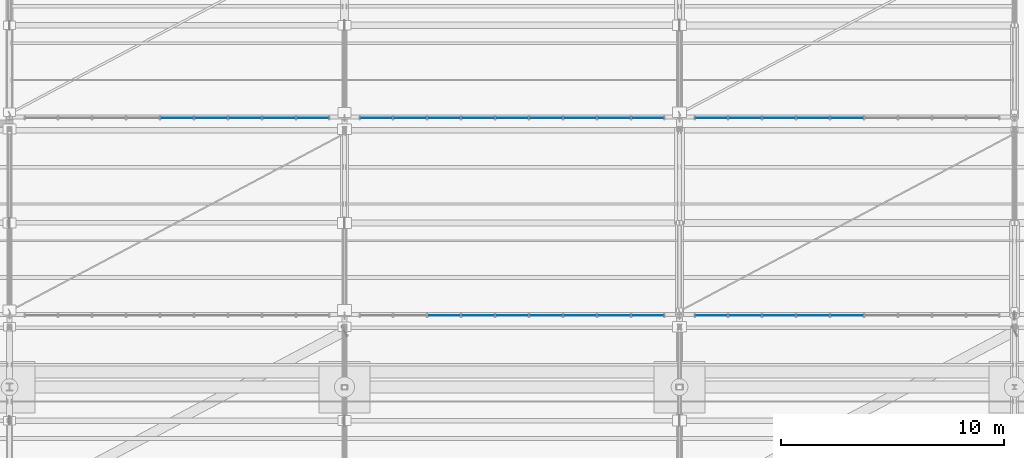
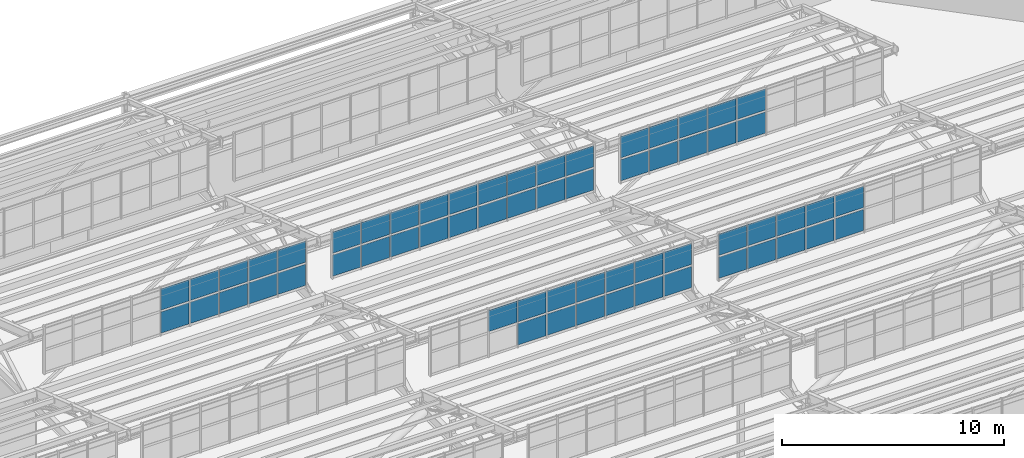
# One storey, part 180 of 285: 61 plates, 5 elements without a shape of their own.
"""IFC4 building model written with IfcOpenShell, lengths in metres."""

import ifcopenshell
import ifcopenshell.guid

model = None  # the IFC model being written
_history = None  # IfcOwnerHistory: only IFC2X3 demands one
_inside = {}  # id of a spatial element -> (the spatial element, [elements in it])
_under = {}  # id of a project, library or spatial element -> (it, [spatial elements below it])
_declared = {}  # id of a project -> (the project, [libraries it declares])
_typed = {}  # id of a type object -> (the type object, [elements of that type])
_made_of = {}  # id of a material, layer set ... -> (it, [elements and type objects made of it])


def new_model(schema):
    """Start an empty IFC model of exactly this schema.

    Asked for "IFC4X3", IfcOpenShell would pick the latest addendum, in which some entities
    have other attributes; the version numbers below select the first issue.
    IFC2X3 requires an IfcOwnerHistory on every rooted entity: one is made here for all.
    """
    global model, _history
    if schema == "IFC4X3":
        model = ifcopenshell.file(schema_version=(4, 3, 0, 0))
    else:
        model = ifcopenshell.file(schema=schema)
    _inside.clear()
    _under.clear()
    _declared.clear()
    _typed.clear()
    _made_of.clear()
    _history = None
    if model.schema == "IFC2X3":
        org = make("IfcOrganization", Name="unknown")
        user = make(
            "IfcPersonAndOrganization",
            ThePerson=make("IfcPerson", FamilyName="unknown"),
            TheOrganization=org,
        )
        app = make(
            "IfcApplication",
            ApplicationDeveloper=org,
            Version="unknown",
            ApplicationFullName="unknown",
            ApplicationIdentifier="unknown",
        )
        _history = make(
            "IfcOwnerHistory",
            OwningUser=user,
            OwningApplication=app,
            ChangeAction="ADDED",
            CreationDate=0,
        )
    return model


def make(cls, **values):
    """One entity of the class cls with the attributes given. An attribute that is None is left unset."""
    return model.create_entity(
        cls, **{name: value for name, value in values.items() if value is not None}
    )


def rooted(cls, **values):
    """An entity with a GlobalId (a new one), such as an element, a storey or a relation."""
    return make(cls, GlobalId=ifcopenshell.guid.new(), OwnerHistory=_history, **values)


def si_unit(unit_type, name, prefix=None):
    """IfcSIUnit, for example si_unit("LENGTHUNIT", "METRE", prefix="MILLI")."""
    return make("IfcSIUnit", UnitType=unit_type, Prefix=prefix, Name=name)


def assignment(units):
    """IfcUnitAssignment: the units of a project."""
    return None if units is None else make("IfcUnitAssignment", Units=units)


def point(xyz):
    """IfcCartesianPoint."""
    return None if xyz is None else make("IfcCartesianPoint", Coordinates=xyz)


def direction(xyz):
    """IfcDirection."""
    return None if xyz is None else make("IfcDirection", DirectionRatios=xyz)


def frame(location, z_axis=None, x_axis=None):
    """IfcAxis2Placement3D, a coordinate frame: its origin and axes. An axis left out is left unset."""
    return make(
        "IfcAxis2Placement3D",
        Location=point(location),
        Axis=direction(z_axis),
        RefDirection=direction(x_axis),
    )


def frame_2d(location, x_axis=None):
    """IfcAxis2Placement2D, a coordinate frame in the plane: its origin and x axis."""
    return make(
        "IfcAxis2Placement2D", Location=point(location), RefDirection=direction(x_axis)
    )


def origin():
    """The frame at (0, 0, 0) with its axes left unset."""
    return frame((0.0, 0.0, 0.0))


def origin_2d():
    """The frame at (0, 0) in the plane with its x axis left unset."""
    return frame_2d((0.0, 0.0))


def place(relative_to, where):
    """IfcLocalPlacement: puts the frame where relative to a parent placement (None: the world)."""
    return make(
        "IfcLocalPlacement", PlacementRelTo=relative_to, RelativePlacement=where
    )


def context(
    kind, dimensions, precision=None, world=None, true_north=None, identifier=None
):
    """IfcGeometricRepresentationContext, for example the 3D "Model" context."""
    return make(
        "IfcGeometricRepresentationContext",
        ContextIdentifier=identifier,
        ContextType=kind,
        CoordinateSpaceDimension=dimensions,
        Precision=precision,
        WorldCoordinateSystem=world,
        TrueNorth=true_north,
    )


def subcontext(parent, identifier, kind, view, scale=None):
    """IfcGeometricRepresentationSubContext, for example "Body" below "Model"."""
    return make(
        "IfcGeometricRepresentationSubContext",
        ContextIdentifier=identifier,
        ContextType=kind,
        ParentContext=parent,
        TargetScale=scale,
        TargetView=view,
    )


def project(units=None, contexts=None):
    """IfcProject with its units and contexts."""
    return rooted(
        "IfcProject",
        Name="project",
        RepresentationContexts=contexts,
        UnitsInContext=assignment(units),
    )


def spatial(cls, under=None, at=None, **own):
    """A site, building, storey or space (cls), placed at a placement, below another one or the project."""
    s = rooted(cls, ObjectPlacement=at, **own)
    if under is not None:
        _under.setdefault(under.id(), (under, []))[1].append(s)
    return s


def profile(cls, at=None, kind="AREA", **sizes):
    """A parametric profile (cls). Its sizes go by their IFC names, for example OverallWidth=200.0."""
    return make(cls, ProfileType=kind, Position=at, **sizes)


def rectangle(**sizes):
    """IfcRectangleProfileDef."""
    return profile("IfcRectangleProfileDef", **sizes)


def extrude(swept, where, along, depth):
    """IfcExtrudedAreaSolid: the profile swept, set in the frame where, extruded along a direction by depth."""
    return make(
        "IfcExtrudedAreaSolid",
        SweptArea=swept,
        Position=where,
        ExtrudedDirection=direction(along),
        Depth=depth,
    )


def shape(context_of_items, identifier, shape_type, items):
    """IfcShapeRepresentation: the items that make up one representation, for example the "Body"."""
    return make(
        "IfcShapeRepresentation",
        ContextOfItems=context_of_items,
        RepresentationIdentifier=identifier,
        RepresentationType=shape_type,
        Items=items,
    )


def material(Name=None, Category=None):
    """IfcMaterial."""
    return make("IfcMaterial", Name=Name, Category=Category)


def layer(
    of_material, thickness, ventilated=None, Name=None, Category=None, Priority=None
):
    """IfcMaterialLayer: one layer of a wall or slab, of a material (None: an air gap)."""
    return make(
        "IfcMaterialLayer",
        Material=of_material,
        LayerThickness=thickness,
        IsVentilated=ventilated,
        Name=Name,
        Category=Category,
        Priority=Priority,
    )


def layer_set(layers, Name=None):
    """IfcMaterialLayerSet."""
    return make("IfcMaterialLayerSet", MaterialLayers=layers, LayerSetName=Name)


def made_of(thing, what):
    """Note that an element or type object is made of a material, layer set ...; save() writes the relation."""
    if what is not None:
        _made_of.setdefault(what.id(), (what, []))[1].append(thing)
    return thing


def type_object(cls, material=None, **own):
    """A type object (cls), such as IfcWallType, which elements share."""
    return made_of(rooted(cls, **own), material)


def element(
    cls,
    number,
    at=None,
    inside=None,
    cuts=None,
    type_object=None,
    material=None,
    context=None,
    identifier="Body",
    shape_type=None,
    held_by="IfcProductDefinitionShape",
    body=None,
    shapes=None,
    **own,
):
    """One element of the class cls, such as IfcWall. Its Tag is "e" and its number.

    at: its placement. inside: the storey or other place that contains it. cuts: it is an
    opening in that element (IfcRelVoidsElement). A single representation is given by context,
    identifier, shape_type and body (its items); several are given by shapes. held_by: the class
    of the entity that holds the representations. save() writes the other relations.
    """
    e = rooted(cls, Tag="e%d" % number, ObjectPlacement=at, **own)
    if body is not None:
        shapes = [shape(context, identifier, shape_type, body)]
    if shapes is not None:
        e.Representation = make(held_by, Representations=shapes)
    if inside is not None:
        _inside.setdefault(inside.id(), (inside, []))[1].append(e)
    if cuts is not None:
        rooted(
            "IfcRelVoidsElement", RelatingBuildingElement=cuts, RelatedOpeningElement=e
        )
    if type_object is not None:
        _typed.setdefault(type_object.id(), (type_object, []))[1].append(e)
    return made_of(e, material)


def aggregate(whole, parts):
    """IfcRelAggregates: a whole, such as a stair, and the parts it consists of."""
    return rooted("IfcRelAggregates", RelatingObject=whole, RelatedObjects=parts)


def save(model, path):
    """Write the relations noted so far, then the file.

    IfcRelAggregates (storeys below a building ...), IfcRelContainedInSpatialStructure (elements
    in a storey), IfcRelDefinesByType, IfcRelAssociatesMaterial and IfcRelDeclares: one each for
    every whole, place, type object, material and project.
    """
    for whole, parts in _under.values():
        aggregate(whole, parts)
    for where, things in _inside.values():
        rooted(
            "IfcRelContainedInSpatialStructure",
            RelatedElements=things,
            RelatingStructure=where,
        )
    for kind, things in _typed.values():
        rooted("IfcRelDefinesByType", RelatedObjects=things, RelatingType=kind)
    for what, things in _made_of.values():
        rooted("IfcRelAssociatesMaterial", RelatedObjects=things, RelatingMaterial=what)
    for by, libraries in _declared.values():
        rooted("IfcRelDeclares", RelatingContext=by, RelatedDefinitions=libraries)
    model.write(path)


model = new_model("IFC4")

# Units and contexts
model_context = context("Model", 3, precision=1e-05, world=origin(), true_north=direction((0.0, 1.0)))
body_context = subcontext(model_context, "Body", "Model", "MODEL_VIEW")
ifc_project = project(units=[si_unit("LENGTHUNIT", "METRE"), si_unit("AREAUNIT", "SQUARE_METRE"), si_unit("VOLUMEUNIT", "CUBIC_METRE"), si_unit("PLANEANGLEUNIT", "RADIAN"), si_unit("MASSUNIT", "GRAM", prefix="KILO")], contexts=[model_context])

# Site, building, storey
site_placement = place(None, origin())
site = spatial("IfcSite", under=ifc_project, at=site_placement, CompositionType="ELEMENT")
building_placement = place(site_placement, origin())
building = spatial("IfcBuilding", under=site, at=building_placement, Name="Solanera Park Tramway Depot", CompositionType="ELEMENT")
storey_placement = place(building_placement, origin())
storey = spatial("IfcBuildingStorey", under=building, at=storey_placement, Name="L00", CompositionType="ELEMENT", Elevation=0.0)

# Curtain wall, plates
ifc_material_1 = material(Name="Bronze-anodised thermally broken aluminium curtain wall", Category="aluminium")
curtain_wall_type = type_object("IfcCurtainWallType", Name="Sawtooth Clerestory Monitor Curtain Wall", PredefinedType="NOTDEFINED", material=ifc_material_1)
curtain_wall_1_placement = place(storey_placement, origin())
curtain_wall_1 = element("IfcCurtainWall", 1, at=curtain_wall_1_placement, inside=storey, type_object=curtain_wall_type, Name="L00 Sawtooth Clerestory Monitor Curtain Wall #058", PredefinedType="NOTDEFINED")
ifc_material_2 = material(Name="Low-E laminated solar-control double glazing", Category="glass")
ifc_layer = layer(ifc_material_2, 0.028076171875)
ifc_layer_set = layer_set([ifc_layer], Name="Low-E laminated solar-control double glazing")
plate_type = type_object("IfcPlateType", Name="Curtain Wall Double Glazing Panel 28", PredefinedType="CURTAIN_PANEL", material=ifc_layer_set)
plate_1_placement = place(storey_placement, frame((110.977783203125, 117.699951171875, 7.862060546875), z_axis=(0.0, 0.0, 1.0), x_axis=(1.0, 0.0, 0.0)))
plate_1 = element("IfcPlate", 2, at=plate_1_placement, type_object=plate_type, Name="CW-L00-058 Glazing Panel R1.C4", PredefinedType="CURTAIN_PANEL", context=body_context, shape_type="SweptSolid", body=[
    extrude(rectangle(XDim=1.47021484375, YDim=0.028076171875, at=origin_2d()), origin(), (0.0, 0.0, 1.0), 1.16650390625),
])
plate_2_placement = place(storey_placement, frame((112.5, 117.699951171875, 7.862060546875), z_axis=(0.0, 0.0, 1.0), x_axis=(1.0, 0.0, 0.0)))
plate_2 = element("IfcPlate", 3, at=plate_2_placement, type_object=plate_type, Name="CW-L00-058 Glazing Panel R1.C5", PredefinedType="CURTAIN_PANEL", context=body_context, shape_type="SweptSolid", body=[
    extrude(rectangle(XDim=1.47021484375, YDim=0.028076171875, at=origin_2d()), origin(), (0.0, 0.0, 1.0), 1.16650390625),
])
plate_3_placement = place(storey_placement, frame((114.022216796875, 117.699951171875, 7.862060546875), z_axis=(0.0, 0.0, 1.0), x_axis=(1.0, 0.0, 0.0)))
plate_3 = element("IfcPlate", 4, at=plate_3_placement, type_object=plate_type, Name="CW-L00-058 Glazing Panel R1.C6", PredefinedType="CURTAIN_PANEL", context=body_context, shape_type="SweptSolid", body=[
    extrude(rectangle(XDim=1.47021484375, YDim=0.028076171875, at=origin_2d()), origin(), (0.0, 0.0, 1.0), 1.16650390625),
])
plate_4_placement = place(storey_placement, frame((115.54443359375, 117.699951171875, 7.862060546875), z_axis=(0.0, 0.0, 1.0), x_axis=(1.0, 0.0, 0.0)))
plate_4 = element("IfcPlate", 5, at=plate_4_placement, type_object=plate_type, Name="CW-L00-058 Glazing Panel R1.C7", PredefinedType="CURTAIN_PANEL", context=body_context, shape_type="SweptSolid", body=[
    extrude(rectangle(XDim=1.47021484375, YDim=0.028076171875, at=origin_2d()), origin(), (0.0, 0.0, 1.0), 1.16650390625),
])
plate_5_placement = place(storey_placement, frame((117.066650390625, 117.699951171875, 7.862060546875), z_axis=(0.0, 0.0, 1.0), x_axis=(1.0, 0.0, 0.0)))
plate_5 = element("IfcPlate", 6, at=plate_5_placement, type_object=plate_type, Name="CW-L00-058 Glazing Panel R1.C8", PredefinedType="CURTAIN_PANEL", context=body_context, shape_type="SweptSolid", body=[
    extrude(rectangle(XDim=1.47021484375, YDim=0.028076171875, at=origin_2d()), origin(), (0.0, 0.0, 1.0), 1.16650390625),
])
plate_6_placement = place(storey_placement, frame((118.572509765625, 117.699951171875, 7.862060546875), z_axis=(0.0, 0.0, 1.0), x_axis=(1.0, 0.0, 0.0)))
plate_6 = element("IfcPlate", 7, at=plate_6_placement, type_object=plate_type, Name="CW-L00-058 Glazing Panel R1.C9", PredefinedType="CURTAIN_PANEL", context=body_context, shape_type="SweptSolid", body=[
    extrude(rectangle(XDim=1.437744140625, YDim=0.028076171875, at=origin_2d()), origin(), (0.0, 0.0, 1.0), 1.16650390625),
])
plate_7_placement = place(storey_placement, frame((109.45556640625, 117.699951171875, 9.132568359375), z_axis=(0.0, 0.0, 1.0), x_axis=(1.0, 0.0, 0.0)))
plate_7 = element("IfcPlate", 8, at=plate_7_placement, type_object=plate_type, Name="CW-L00-058 Glazing Panel R2.C3", PredefinedType="CURTAIN_PANEL", context=body_context, shape_type="SweptSolid", body=[
    extrude(rectangle(XDim=1.47021484375, YDim=0.028076171875, at=origin_2d()), origin(), (0.0, 0.0, 1.0), 1.16650390625),
])
plate_8_placement = place(storey_placement, frame((110.977783203125, 117.699951171875, 9.132568359375), z_axis=(0.0, 0.0, 1.0), x_axis=(1.0, 0.0, 0.0)))
plate_8 = element("IfcPlate", 9, at=plate_8_placement, type_object=plate_type, Name="CW-L00-058 Glazing Panel R2.C4", PredefinedType="CURTAIN_PANEL", context=body_context, shape_type="SweptSolid", body=[
    extrude(rectangle(XDim=1.47021484375, YDim=0.028076171875, at=origin_2d()), origin(), (0.0, 0.0, 1.0), 1.16650390625),
])
plate_9_placement = place(storey_placement, frame((112.5, 117.699951171875, 9.132568359375), z_axis=(0.0, 0.0, 1.0), x_axis=(1.0, 0.0, 0.0)))
plate_9 = element("IfcPlate", 10, at=plate_9_placement, type_object=plate_type, Name="CW-L00-058 Glazing Panel R2.C5", PredefinedType="CURTAIN_PANEL", context=body_context, shape_type="SweptSolid", body=[
    extrude(rectangle(XDim=1.47021484375, YDim=0.028076171875, at=origin_2d()), origin(), (0.0, 0.0, 1.0), 1.16650390625),
])
plate_10_placement = place(storey_placement, frame((114.022216796875, 117.699951171875, 9.132568359375), z_axis=(0.0, 0.0, 1.0), x_axis=(1.0, 0.0, 0.0)))
plate_10 = element("IfcPlate", 11, at=plate_10_placement, type_object=plate_type, Name="CW-L00-058 Glazing Panel R2.C6", PredefinedType="CURTAIN_PANEL", context=body_context, shape_type="SweptSolid", body=[
    extrude(rectangle(XDim=1.47021484375, YDim=0.028076171875, at=origin_2d()), origin(), (0.0, 0.0, 1.0), 1.16650390625),
])
plate_11_placement = place(storey_placement, frame((115.54443359375, 117.699951171875, 9.132568359375), z_axis=(0.0, 0.0, 1.0), x_axis=(1.0, 0.0, 0.0)))
plate_11 = element("IfcPlate", 12, at=plate_11_placement, type_object=plate_type, Name="CW-L00-058 Glazing Panel R2.C7", PredefinedType="CURTAIN_PANEL", context=body_context, shape_type="SweptSolid", body=[
    extrude(rectangle(XDim=1.47021484375, YDim=0.028076171875, at=origin_2d()), origin(), (0.0, 0.0, 1.0), 1.16650390625),
])
plate_12_placement = place(storey_placement, frame((117.066650390625, 117.699951171875, 9.132568359375), z_axis=(0.0, 0.0, 1.0), x_axis=(1.0, 0.0, 0.0)))
plate_12 = element("IfcPlate", 13, at=plate_12_placement, type_object=plate_type, Name="CW-L00-058 Glazing Panel R2.C8", PredefinedType="CURTAIN_PANEL", context=body_context, shape_type="SweptSolid", body=[
    extrude(rectangle(XDim=1.47021484375, YDim=0.028076171875, at=origin_2d()), origin(), (0.0, 0.0, 1.0), 1.16650390625),
])
plate_13_placement = place(storey_placement, frame((118.572509765625, 117.699951171875, 9.132568359375), z_axis=(0.0, 0.0, 1.0), x_axis=(1.0, 0.0, 0.0)))
plate_13 = element("IfcPlate", 14, at=plate_13_placement, type_object=plate_type, Name="CW-L00-058 Glazing Panel R2.C9", PredefinedType="CURTAIN_PANEL", context=body_context, shape_type="SweptSolid", body=[
    extrude(rectangle(XDim=1.437744140625, YDim=0.028076171875, at=origin_2d()), origin(), (0.0, 0.0, 1.0), 1.16650390625),
])
aggregate(curtain_wall_1, [plate_1, plate_2, plate_3, plate_4, plate_5, plate_6, plate_7, plate_8, plate_9, plate_10, plate_11, plate_12, plate_13])

curtain_wall_2_placement = place(storey_placement, origin())
curtain_wall_2 = element("IfcCurtainWall", 15, at=curtain_wall_2_placement, inside=storey, type_object=curtain_wall_type, Name="L00 Sawtooth Clerestory Monitor Curtain Wall #059", PredefinedType="NOTDEFINED")
plate_14_placement = place(storey_placement, frame((121.427490234375, 117.699951171875, 7.862060546875), z_axis=(0.0, 0.0, 1.0), x_axis=(1.0, 0.0, 0.0)))
plate_14 = element("IfcPlate", 16, at=plate_14_placement, type_object=plate_type, Name="CW-L00-059 Glazing Panel R1.C1", PredefinedType="CURTAIN_PANEL", context=body_context, shape_type="SweptSolid", body=[
    extrude(rectangle(XDim=1.437744140625, YDim=0.028076171875, at=origin_2d()), origin(), (0.0, 0.0, 1.0), 1.16650390625),
])
plate_15_placement = place(storey_placement, frame((122.933349609375, 117.699951171875, 7.862060546875), z_axis=(0.0, 0.0, 1.0), x_axis=(1.0, 0.0, 0.0)))
plate_15 = element("IfcPlate", 17, at=plate_15_placement, type_object=plate_type, Name="CW-L00-059 Glazing Panel R1.C2", PredefinedType="CURTAIN_PANEL", context=body_context, shape_type="SweptSolid", body=[
    extrude(rectangle(XDim=1.47021484375, YDim=0.028076171875, at=origin_2d()), origin(), (0.0, 0.0, 1.0), 1.16650390625),
])
plate_16_placement = place(storey_placement, frame((124.45556640625, 117.699951171875, 7.862060546875), z_axis=(0.0, 0.0, 1.0), x_axis=(1.0, 0.0, 0.0)))
plate_16 = element("IfcPlate", 18, at=plate_16_placement, type_object=plate_type, Name="CW-L00-059 Glazing Panel R1.C3", PredefinedType="CURTAIN_PANEL", context=body_context, shape_type="SweptSolid", body=[
    extrude(rectangle(XDim=1.47021484375, YDim=0.028076171875, at=origin_2d()), origin(), (0.0, 0.0, 1.0), 1.16650390625),
])
plate_17_placement = place(storey_placement, frame((125.977783203125, 117.699951171875, 7.862060546875), z_axis=(0.0, 0.0, 1.0), x_axis=(1.0, 0.0, 0.0)))
plate_17 = element("IfcPlate", 19, at=plate_17_placement, type_object=plate_type, Name="CW-L00-059 Glazing Panel R1.C4", PredefinedType="CURTAIN_PANEL", context=body_context, shape_type="SweptSolid", body=[
    extrude(rectangle(XDim=1.47021484375, YDim=0.028076171875, at=origin_2d()), origin(), (0.0, 0.0, 1.0), 1.16650390625),
])
plate_18_placement = place(storey_placement, frame((127.5, 117.699951171875, 7.862060546875), z_axis=(0.0, 0.0, 1.0), x_axis=(1.0, 0.0, 0.0)))
plate_18 = element("IfcPlate", 20, at=plate_18_placement, type_object=plate_type, Name="CW-L00-059 Glazing Panel R1.C5", PredefinedType="CURTAIN_PANEL", context=body_context, shape_type="SweptSolid", body=[
    extrude(rectangle(XDim=1.47021484375, YDim=0.028076171875, at=origin_2d()), origin(), (0.0, 0.0, 1.0), 1.16650390625),
])
plate_19_placement = place(storey_placement, frame((121.427490234375, 117.699951171875, 9.132568359375), z_axis=(0.0, 0.0, 1.0), x_axis=(1.0, 0.0, 0.0)))
plate_19 = element("IfcPlate", 21, at=plate_19_placement, type_object=plate_type, Name="CW-L00-059 Glazing Panel R2.C1", PredefinedType="CURTAIN_PANEL", context=body_context, shape_type="SweptSolid", body=[
    extrude(rectangle(XDim=1.437744140625, YDim=0.028076171875, at=origin_2d()), origin(), (0.0, 0.0, 1.0), 1.16650390625),
])
plate_20_placement = place(storey_placement, frame((122.933349609375, 117.699951171875, 9.132568359375), z_axis=(0.0, 0.0, 1.0), x_axis=(1.0, 0.0, 0.0)))
plate_20 = element("IfcPlate", 22, at=plate_20_placement, type_object=plate_type, Name="CW-L00-059 Glazing Panel R2.C2", PredefinedType="CURTAIN_PANEL", context=body_context, shape_type="SweptSolid", body=[
    extrude(rectangle(XDim=1.47021484375, YDim=0.028076171875, at=origin_2d()), origin(), (0.0, 0.0, 1.0), 1.16650390625),
])
plate_21_placement = place(storey_placement, frame((124.45556640625, 117.699951171875, 9.132568359375), z_axis=(0.0, 0.0, 1.0), x_axis=(1.0, 0.0, 0.0)))
plate_21 = element("IfcPlate", 23, at=plate_21_placement, type_object=plate_type, Name="CW-L00-059 Glazing Panel R2.C3", PredefinedType="CURTAIN_PANEL", context=body_context, shape_type="SweptSolid", body=[
    extrude(rectangle(XDim=1.47021484375, YDim=0.028076171875, at=origin_2d()), origin(), (0.0, 0.0, 1.0), 1.16650390625),
])
plate_22_placement = place(storey_placement, frame((125.977783203125, 117.699951171875, 9.132568359375), z_axis=(0.0, 0.0, 1.0), x_axis=(1.0, 0.0, 0.0)))
plate_22 = element("IfcPlate", 24, at=plate_22_placement, type_object=plate_type, Name="CW-L00-059 Glazing Panel R2.C4", PredefinedType="CURTAIN_PANEL", context=body_context, shape_type="SweptSolid", body=[
    extrude(rectangle(XDim=1.47021484375, YDim=0.028076171875, at=origin_2d()), origin(), (0.0, 0.0, 1.0), 1.16650390625),
])
plate_23_placement = place(storey_placement, frame((127.5, 117.699951171875, 9.132568359375), z_axis=(0.0, 0.0, 1.0), x_axis=(1.0, 0.0, 0.0)))
plate_23 = element("IfcPlate", 25, at=plate_23_placement, type_object=plate_type, Name="CW-L00-059 Glazing Panel R2.C5", PredefinedType="CURTAIN_PANEL", context=body_context, shape_type="SweptSolid", body=[
    extrude(rectangle(XDim=1.47021484375, YDim=0.028076171875, at=origin_2d()), origin(), (0.0, 0.0, 1.0), 1.16650390625),
])
aggregate(curtain_wall_2, [plate_14, plate_15, plate_16, plate_17, plate_18, plate_19, plate_20, plate_21, plate_22, plate_23])

curtain_wall_3_placement = place(storey_placement, origin())
curtain_wall_3 = element("IfcCurtainWall", 26, at=curtain_wall_3_placement, inside=storey, type_object=curtain_wall_type, Name="L00 Sawtooth Clerestory Monitor Curtain Wall #063", PredefinedType="NOTDEFINED")
plate_24_placement = place(storey_placement, frame((97.5, 126.550048828125, 7.862060546875), z_axis=(0.0, 0.0, 1.0), x_axis=(1.0, 0.0, 0.0)))
plate_24 = element("IfcPlate", 27, at=plate_24_placement, type_object=plate_type, Name="CW-L00-063 Glazing Panel R1.C5", PredefinedType="CURTAIN_PANEL", context=body_context, shape_type="SweptSolid", body=[
    extrude(rectangle(XDim=1.47021484375, YDim=0.028076171875, at=origin_2d()), origin(), (0.0, 0.0, 1.0), 1.16650390625),
])
plate_25_placement = place(storey_placement, frame((99.022216796875, 126.550048828125, 7.862060546875), z_axis=(0.0, 0.0, 1.0), x_axis=(1.0, 0.0, 0.0)))
plate_25 = element("IfcPlate", 28, at=plate_25_placement, type_object=plate_type, Name="CW-L00-063 Glazing Panel R1.C6", PredefinedType="CURTAIN_PANEL", context=body_context, shape_type="SweptSolid", body=[
    extrude(rectangle(XDim=1.47021484375, YDim=0.028076171875, at=origin_2d()), origin(), (0.0, 0.0, 1.0), 1.16650390625),
])
plate_26_placement = place(storey_placement, frame((100.54443359375, 126.550048828125, 7.862060546875), z_axis=(0.0, 0.0, 1.0), x_axis=(1.0, 0.0, 0.0)))
plate_26 = element("IfcPlate", 29, at=plate_26_placement, type_object=plate_type, Name="CW-L00-063 Glazing Panel R1.C7", PredefinedType="CURTAIN_PANEL", context=body_context, shape_type="SweptSolid", body=[
    extrude(rectangle(XDim=1.47021484375, YDim=0.028076171875, at=origin_2d()), origin(), (0.0, 0.0, 1.0), 1.16650390625),
])
plate_27_placement = place(storey_placement, frame((102.066650390625, 126.550048828125, 7.862060546875), z_axis=(0.0, 0.0, 1.0), x_axis=(1.0, 0.0, 0.0)))
plate_27 = element("IfcPlate", 30, at=plate_27_placement, type_object=plate_type, Name="CW-L00-063 Glazing Panel R1.C8", PredefinedType="CURTAIN_PANEL", context=body_context, shape_type="SweptSolid", body=[
    extrude(rectangle(XDim=1.47021484375, YDim=0.028076171875, at=origin_2d()), origin(), (0.0, 0.0, 1.0), 1.16650390625),
])
plate_28_placement = place(storey_placement, frame((103.572509765625, 126.550048828125, 7.862060546875), z_axis=(0.0, 0.0, 1.0), x_axis=(1.0, 0.0, 0.0)))
plate_28 = element("IfcPlate", 31, at=plate_28_placement, type_object=plate_type, Name="CW-L00-063 Glazing Panel R1.C9", PredefinedType="CURTAIN_PANEL", context=body_context, shape_type="SweptSolid", body=[
    extrude(rectangle(XDim=1.437744140625, YDim=0.028076171875, at=origin_2d()), origin(), (0.0, 0.0, 1.0), 1.16650390625),
])
plate_29_placement = place(storey_placement, frame((97.5, 126.550048828125, 9.132568359375), z_axis=(0.0, 0.0, 1.0), x_axis=(1.0, 0.0, 0.0)))
plate_29 = element("IfcPlate", 32, at=plate_29_placement, type_object=plate_type, Name="CW-L00-063 Glazing Panel R2.C5", PredefinedType="CURTAIN_PANEL", context=body_context, shape_type="SweptSolid", body=[
    extrude(rectangle(XDim=1.47021484375, YDim=0.028076171875, at=origin_2d()), origin(), (0.0, 0.0, 1.0), 1.16650390625),
])
plate_30_placement = place(storey_placement, frame((99.022216796875, 126.550048828125, 9.132568359375), z_axis=(0.0, 0.0, 1.0), x_axis=(1.0, 0.0, 0.0)))
plate_30 = element("IfcPlate", 33, at=plate_30_placement, type_object=plate_type, Name="CW-L00-063 Glazing Panel R2.C6", PredefinedType="CURTAIN_PANEL", context=body_context, shape_type="SweptSolid", body=[
    extrude(rectangle(XDim=1.47021484375, YDim=0.028076171875, at=origin_2d()), origin(), (0.0, 0.0, 1.0), 1.16650390625),
])
plate_31_placement = place(storey_placement, frame((100.54443359375, 126.550048828125, 9.132568359375), z_axis=(0.0, 0.0, 1.0), x_axis=(1.0, 0.0, 0.0)))
plate_31 = element("IfcPlate", 34, at=plate_31_placement, type_object=plate_type, Name="CW-L00-063 Glazing Panel R2.C7", PredefinedType="CURTAIN_PANEL", context=body_context, shape_type="SweptSolid", body=[
    extrude(rectangle(XDim=1.47021484375, YDim=0.028076171875, at=origin_2d()), origin(), (0.0, 0.0, 1.0), 1.16650390625),
])
plate_32_placement = place(storey_placement, frame((102.066650390625, 126.550048828125, 9.132568359375), z_axis=(0.0, 0.0, 1.0), x_axis=(1.0, 0.0, 0.0)))
plate_32 = element("IfcPlate", 35, at=plate_32_placement, type_object=plate_type, Name="CW-L00-063 Glazing Panel R2.C8", PredefinedType="CURTAIN_PANEL", context=body_context, shape_type="SweptSolid", body=[
    extrude(rectangle(XDim=1.47021484375, YDim=0.028076171875, at=origin_2d()), origin(), (0.0, 0.0, 1.0), 1.16650390625),
])
plate_33_placement = place(storey_placement, frame((103.572509765625, 126.550048828125, 9.132568359375), z_axis=(0.0, 0.0, 1.0), x_axis=(1.0, 0.0, 0.0)))
plate_33 = element("IfcPlate", 36, at=plate_33_placement, type_object=plate_type, Name="CW-L00-063 Glazing Panel R2.C9", PredefinedType="CURTAIN_PANEL", context=body_context, shape_type="SweptSolid", body=[
    extrude(rectangle(XDim=1.437744140625, YDim=0.028076171875, at=origin_2d()), origin(), (0.0, 0.0, 1.0), 1.16650390625),
])
aggregate(curtain_wall_3, [plate_24, plate_25, plate_26, plate_27, plate_28, plate_29, plate_30, plate_31, plate_32, plate_33])

curtain_wall_4_placement = place(storey_placement, origin())
curtain_wall_4 = element("IfcCurtainWall", 37, at=curtain_wall_4_placement, inside=storey, type_object=curtain_wall_type, Name="L00 Sawtooth Clerestory Monitor Curtain Wall #064", PredefinedType="NOTDEFINED")
plate_34_placement = place(storey_placement, frame((106.427490234375, 126.550048828125, 7.862060546875), z_axis=(0.0, 0.0, 1.0), x_axis=(1.0, 0.0, 0.0)))
plate_34 = element("IfcPlate", 38, at=plate_34_placement, type_object=plate_type, Name="CW-L00-064 Glazing Panel R1.C1", PredefinedType="CURTAIN_PANEL", context=body_context, shape_type="SweptSolid", body=[
    extrude(rectangle(XDim=1.437744140625, YDim=0.028076171875, at=origin_2d()), origin(), (0.0, 0.0, 1.0), 1.16650390625),
])
plate_35_placement = place(storey_placement, frame((107.933349609375, 126.550048828125, 7.862060546875), z_axis=(0.0, 0.0, 1.0), x_axis=(1.0, 0.0, 0.0)))
plate_35 = element("IfcPlate", 39, at=plate_35_placement, type_object=plate_type, Name="CW-L00-064 Glazing Panel R1.C2", PredefinedType="CURTAIN_PANEL", context=body_context, shape_type="SweptSolid", body=[
    extrude(rectangle(XDim=1.47021484375, YDim=0.028076171875, at=origin_2d()), origin(), (0.0, 0.0, 1.0), 1.16650390625),
])
plate_36_placement = place(storey_placement, frame((109.45556640625, 126.550048828125, 7.862060546875), z_axis=(0.0, 0.0, 1.0), x_axis=(1.0, 0.0, 0.0)))
plate_36 = element("IfcPlate", 40, at=plate_36_placement, type_object=plate_type, Name="CW-L00-064 Glazing Panel R1.C3", PredefinedType="CURTAIN_PANEL", context=body_context, shape_type="SweptSolid", body=[
    extrude(rectangle(XDim=1.47021484375, YDim=0.028076171875, at=origin_2d()), origin(), (0.0, 0.0, 1.0), 1.16650390625),
])
plate_37_placement = place(storey_placement, frame((110.977783203125, 126.550048828125, 7.862060546875), z_axis=(0.0, 0.0, 1.0), x_axis=(1.0, 0.0, 0.0)))
plate_37 = element("IfcPlate", 41, at=plate_37_placement, type_object=plate_type, Name="CW-L00-064 Glazing Panel R1.C4", PredefinedType="CURTAIN_PANEL", context=body_context, shape_type="SweptSolid", body=[
    extrude(rectangle(XDim=1.47021484375, YDim=0.028076171875, at=origin_2d()), origin(), (0.0, 0.0, 1.0), 1.16650390625),
])
plate_38_placement = place(storey_placement, frame((112.5, 126.550048828125, 7.862060546875), z_axis=(0.0, 0.0, 1.0), x_axis=(1.0, 0.0, 0.0)))
plate_38 = element("IfcPlate", 42, at=plate_38_placement, type_object=plate_type, Name="CW-L00-064 Glazing Panel R1.C5", PredefinedType="CURTAIN_PANEL", context=body_context, shape_type="SweptSolid", body=[
    extrude(rectangle(XDim=1.47021484375, YDim=0.028076171875, at=origin_2d()), origin(), (0.0, 0.0, 1.0), 1.16650390625),
])
plate_39_placement = place(storey_placement, frame((114.022216796875, 126.550048828125, 7.862060546875), z_axis=(0.0, 0.0, 1.0), x_axis=(1.0, 0.0, 0.0)))
plate_39 = element("IfcPlate", 43, at=plate_39_placement, type_object=plate_type, Name="CW-L00-064 Glazing Panel R1.C6", PredefinedType="CURTAIN_PANEL", context=body_context, shape_type="SweptSolid", body=[
    extrude(rectangle(XDim=1.47021484375, YDim=0.028076171875, at=origin_2d()), origin(), (0.0, 0.0, 1.0), 1.16650390625),
])
plate_40_placement = place(storey_placement, frame((115.54443359375, 126.550048828125, 7.862060546875), z_axis=(0.0, 0.0, 1.0), x_axis=(1.0, 0.0, 0.0)))
plate_40 = element("IfcPlate", 44, at=plate_40_placement, type_object=plate_type, Name="CW-L00-064 Glazing Panel R1.C7", PredefinedType="CURTAIN_PANEL", context=body_context, shape_type="SweptSolid", body=[
    extrude(rectangle(XDim=1.47021484375, YDim=0.028076171875, at=origin_2d()), origin(), (0.0, 0.0, 1.0), 1.16650390625),
])
plate_41_placement = place(storey_placement, frame((117.066650390625, 126.550048828125, 7.862060546875), z_axis=(0.0, 0.0, 1.0), x_axis=(1.0, 0.0, 0.0)))
plate_41 = element("IfcPlate", 45, at=plate_41_placement, type_object=plate_type, Name="CW-L00-064 Glazing Panel R1.C8", PredefinedType="CURTAIN_PANEL", context=body_context, shape_type="SweptSolid", body=[
    extrude(rectangle(XDim=1.47021484375, YDim=0.028076171875, at=origin_2d()), origin(), (0.0, 0.0, 1.0), 1.16650390625),
])
plate_42_placement = place(storey_placement, frame((118.572509765625, 126.550048828125, 7.862060546875), z_axis=(0.0, 0.0, 1.0), x_axis=(1.0, 0.0, 0.0)))
plate_42 = element("IfcPlate", 46, at=plate_42_placement, type_object=plate_type, Name="CW-L00-064 Glazing Panel R1.C9", PredefinedType="CURTAIN_PANEL", context=body_context, shape_type="SweptSolid", body=[
    extrude(rectangle(XDim=1.437744140625, YDim=0.028076171875, at=origin_2d()), origin(), (0.0, 0.0, 1.0), 1.16650390625),
])
plate_43_placement = place(storey_placement, frame((106.427490234375, 126.550048828125, 9.132568359375), z_axis=(0.0, 0.0, 1.0), x_axis=(1.0, 0.0, 0.0)))
plate_43 = element("IfcPlate", 47, at=plate_43_placement, type_object=plate_type, Name="CW-L00-064 Glazing Panel R2.C1", PredefinedType="CURTAIN_PANEL", context=body_context, shape_type="SweptSolid", body=[
    extrude(rectangle(XDim=1.437744140625, YDim=0.028076171875, at=origin_2d()), origin(), (0.0, 0.0, 1.0), 1.16650390625),
])
plate_44_placement = place(storey_placement, frame((107.933349609375, 126.550048828125, 9.132568359375), z_axis=(0.0, 0.0, 1.0), x_axis=(1.0, 0.0, 0.0)))
plate_44 = element("IfcPlate", 48, at=plate_44_placement, type_object=plate_type, Name="CW-L00-064 Glazing Panel R2.C2", PredefinedType="CURTAIN_PANEL", context=body_context, shape_type="SweptSolid", body=[
    extrude(rectangle(XDim=1.47021484375, YDim=0.028076171875, at=origin_2d()), origin(), (0.0, 0.0, 1.0), 1.16650390625),
])
plate_45_placement = place(storey_placement, frame((109.45556640625, 126.550048828125, 9.132568359375), z_axis=(0.0, 0.0, 1.0), x_axis=(1.0, 0.0, 0.0)))
plate_45 = element("IfcPlate", 49, at=plate_45_placement, type_object=plate_type, Name="CW-L00-064 Glazing Panel R2.C3", PredefinedType="CURTAIN_PANEL", context=body_context, shape_type="SweptSolid", body=[
    extrude(rectangle(XDim=1.47021484375, YDim=0.028076171875, at=origin_2d()), origin(), (0.0, 0.0, 1.0), 1.16650390625),
])
plate_46_placement = place(storey_placement, frame((110.977783203125, 126.550048828125, 9.132568359375), z_axis=(0.0, 0.0, 1.0), x_axis=(1.0, 0.0, 0.0)))
plate_46 = element("IfcPlate", 50, at=plate_46_placement, type_object=plate_type, Name="CW-L00-064 Glazing Panel R2.C4", PredefinedType="CURTAIN_PANEL", context=body_context, shape_type="SweptSolid", body=[
    extrude(rectangle(XDim=1.47021484375, YDim=0.028076171875, at=origin_2d()), origin(), (0.0, 0.0, 1.0), 1.16650390625),
])
plate_47_placement = place(storey_placement, frame((112.5, 126.550048828125, 9.132568359375), z_axis=(0.0, 0.0, 1.0), x_axis=(1.0, 0.0, 0.0)))
plate_47 = element("IfcPlate", 51, at=plate_47_placement, type_object=plate_type, Name="CW-L00-064 Glazing Panel R2.C5", PredefinedType="CURTAIN_PANEL", context=body_context, shape_type="SweptSolid", body=[
    extrude(rectangle(XDim=1.47021484375, YDim=0.028076171875, at=origin_2d()), origin(), (0.0, 0.0, 1.0), 1.16650390625),
])
plate_48_placement = place(storey_placement, frame((114.022216796875, 126.550048828125, 9.132568359375), z_axis=(0.0, 0.0, 1.0), x_axis=(1.0, 0.0, 0.0)))
plate_48 = element("IfcPlate", 52, at=plate_48_placement, type_object=plate_type, Name="CW-L00-064 Glazing Panel R2.C6", PredefinedType="CURTAIN_PANEL", context=body_context, shape_type="SweptSolid", body=[
    extrude(rectangle(XDim=1.47021484375, YDim=0.028076171875, at=origin_2d()), origin(), (0.0, 0.0, 1.0), 1.16650390625),
])
plate_49_placement = place(storey_placement, frame((115.54443359375, 126.550048828125, 9.132568359375), z_axis=(0.0, 0.0, 1.0), x_axis=(1.0, 0.0, 0.0)))
plate_49 = element("IfcPlate", 53, at=plate_49_placement, type_object=plate_type, Name="CW-L00-064 Glazing Panel R2.C7", PredefinedType="CURTAIN_PANEL", context=body_context, shape_type="SweptSolid", body=[
    extrude(rectangle(XDim=1.47021484375, YDim=0.028076171875, at=origin_2d()), origin(), (0.0, 0.0, 1.0), 1.16650390625),
])
plate_50_placement = place(storey_placement, frame((117.066650390625, 126.550048828125, 9.132568359375), z_axis=(0.0, 0.0, 1.0), x_axis=(1.0, 0.0, 0.0)))
plate_50 = element("IfcPlate", 54, at=plate_50_placement, type_object=plate_type, Name="CW-L00-064 Glazing Panel R2.C8", PredefinedType="CURTAIN_PANEL", context=body_context, shape_type="SweptSolid", body=[
    extrude(rectangle(XDim=1.47021484375, YDim=0.028076171875, at=origin_2d()), origin(), (0.0, 0.0, 1.0), 1.16650390625),
])
plate_51_placement = place(storey_placement, frame((118.572509765625, 126.550048828125, 9.132568359375), z_axis=(0.0, 0.0, 1.0), x_axis=(1.0, 0.0, 0.0)))
plate_51 = element("IfcPlate", 55, at=plate_51_placement, type_object=plate_type, Name="CW-L00-064 Glazing Panel R2.C9", PredefinedType="CURTAIN_PANEL", context=body_context, shape_type="SweptSolid", body=[
    extrude(rectangle(XDim=1.437744140625, YDim=0.028076171875, at=origin_2d()), origin(), (0.0, 0.0, 1.0), 1.16650390625),
])
aggregate(curtain_wall_4, [plate_34, plate_35, plate_36, plate_37, plate_38, plate_39, plate_40, plate_41, plate_42, plate_43, plate_44, plate_45, plate_46, plate_47, plate_48, plate_49, plate_50, plate_51])

curtain_wall_5_placement = place(storey_placement, origin())
curtain_wall_5 = element("IfcCurtainWall", 56, at=curtain_wall_5_placement, inside=storey, type_object=curtain_wall_type, Name="L00 Sawtooth Clerestory Monitor Curtain Wall #065", PredefinedType="NOTDEFINED")
plate_52_placement = place(storey_placement, frame((121.427490234375, 126.550048828125, 7.862060546875), z_axis=(0.0, 0.0, 1.0), x_axis=(1.0, 0.0, 0.0)))
plate_52 = element("IfcPlate", 57, at=plate_52_placement, type_object=plate_type, Name="CW-L00-065 Glazing Panel R1.C1", PredefinedType="CURTAIN_PANEL", context=body_context, shape_type="SweptSolid", body=[
    extrude(rectangle(XDim=1.437744140625, YDim=0.028076171875, at=origin_2d()), origin(), (0.0, 0.0, 1.0), 1.16650390625),
])
plate_53_placement = place(storey_placement, frame((122.933349609375, 126.550048828125, 7.862060546875), z_axis=(0.0, 0.0, 1.0), x_axis=(1.0, 0.0, 0.0)))
plate_53 = element("IfcPlate", 58, at=plate_53_placement, type_object=plate_type, Name="CW-L00-065 Glazing Panel R1.C2", PredefinedType="CURTAIN_PANEL", context=body_context, shape_type="SweptSolid", body=[
    extrude(rectangle(XDim=1.47021484375, YDim=0.028076171875, at=origin_2d()), origin(), (0.0, 0.0, 1.0), 1.16650390625),
])
plate_54_placement = place(storey_placement, frame((124.45556640625, 126.550048828125, 7.862060546875), z_axis=(0.0, 0.0, 1.0), x_axis=(1.0, 0.0, 0.0)))
plate_54 = element("IfcPlate", 59, at=plate_54_placement, type_object=plate_type, Name="CW-L00-065 Glazing Panel R1.C3", PredefinedType="CURTAIN_PANEL", context=body_context, shape_type="SweptSolid", body=[
    extrude(rectangle(XDim=1.47021484375, YDim=0.028076171875, at=origin_2d()), origin(), (0.0, 0.0, 1.0), 1.16650390625),
])
plate_55_placement = place(storey_placement, frame((125.977783203125, 126.550048828125, 7.862060546875), z_axis=(0.0, 0.0, 1.0), x_axis=(1.0, 0.0, 0.0)))
plate_55 = element("IfcPlate", 60, at=plate_55_placement, type_object=plate_type, Name="CW-L00-065 Glazing Panel R1.C4", PredefinedType="CURTAIN_PANEL", context=body_context, shape_type="SweptSolid", body=[
    extrude(rectangle(XDim=1.47021484375, YDim=0.028076171875, at=origin_2d()), origin(), (0.0, 0.0, 1.0), 1.16650390625),
])
plate_56_placement = place(storey_placement, frame((127.5, 126.550048828125, 7.862060546875), z_axis=(0.0, 0.0, 1.0), x_axis=(1.0, 0.0, 0.0)))
plate_56 = element("IfcPlate", 61, at=plate_56_placement, type_object=plate_type, Name="CW-L00-065 Glazing Panel R1.C5", PredefinedType="CURTAIN_PANEL", context=body_context, shape_type="SweptSolid", body=[
    extrude(rectangle(XDim=1.47021484375, YDim=0.028076171875, at=origin_2d()), origin(), (0.0, 0.0, 1.0), 1.16650390625),
])
plate_57_placement = place(storey_placement, frame((121.427490234375, 126.550048828125, 9.132568359375), z_axis=(0.0, 0.0, 1.0), x_axis=(1.0, 0.0, 0.0)))
plate_57 = element("IfcPlate", 62, at=plate_57_placement, type_object=plate_type, Name="CW-L00-065 Glazing Panel R2.C1", PredefinedType="CURTAIN_PANEL", context=body_context, shape_type="SweptSolid", body=[
    extrude(rectangle(XDim=1.437744140625, YDim=0.028076171875, at=origin_2d()), origin(), (0.0, 0.0, 1.0), 1.16650390625),
])
plate_58_placement = place(storey_placement, frame((122.933349609375, 126.550048828125, 9.132568359375), z_axis=(0.0, 0.0, 1.0), x_axis=(1.0, 0.0, 0.0)))
plate_58 = element("IfcPlate", 63, at=plate_58_placement, type_object=plate_type, Name="CW-L00-065 Glazing Panel R2.C2", PredefinedType="CURTAIN_PANEL", context=body_context, shape_type="SweptSolid", body=[
    extrude(rectangle(XDim=1.47021484375, YDim=0.028076171875, at=origin_2d()), origin(), (0.0, 0.0, 1.0), 1.16650390625),
])
plate_59_placement = place(storey_placement, frame((124.45556640625, 126.550048828125, 9.132568359375), z_axis=(0.0, 0.0, 1.0), x_axis=(1.0, 0.0, 0.0)))
plate_59 = element("IfcPlate", 64, at=plate_59_placement, type_object=plate_type, Name="CW-L00-065 Glazing Panel R2.C3", PredefinedType="CURTAIN_PANEL", context=body_context, shape_type="SweptSolid", body=[
    extrude(rectangle(XDim=1.47021484375, YDim=0.028076171875, at=origin_2d()), origin(), (0.0, 0.0, 1.0), 1.16650390625),
])
plate_60_placement = place(storey_placement, frame((125.977783203125, 126.550048828125, 9.132568359375), z_axis=(0.0, 0.0, 1.0), x_axis=(1.0, 0.0, 0.0)))
plate_60 = element("IfcPlate", 65, at=plate_60_placement, type_object=plate_type, Name="CW-L00-065 Glazing Panel R2.C4", PredefinedType="CURTAIN_PANEL", context=body_context, shape_type="SweptSolid", body=[
    extrude(rectangle(XDim=1.47021484375, YDim=0.028076171875, at=origin_2d()), origin(), (0.0, 0.0, 1.0), 1.16650390625),
])
plate_61_placement = place(storey_placement, frame((127.5, 126.550048828125, 9.132568359375), z_axis=(0.0, 0.0, 1.0), x_axis=(1.0, 0.0, 0.0)))
plate_61 = element("IfcPlate", 66, at=plate_61_placement, type_object=plate_type, Name="CW-L00-065 Glazing Panel R2.C5", PredefinedType="CURTAIN_PANEL", context=body_context, shape_type="SweptSolid", body=[
    extrude(rectangle(XDim=1.47021484375, YDim=0.028076171875, at=origin_2d()), origin(), (0.0, 0.0, 1.0), 1.16650390625),
])
aggregate(curtain_wall_5, [plate_52, plate_53, plate_54, plate_55, plate_56, plate_57, plate_58, plate_59, plate_60, plate_61])

save(model, "model.ifc")
